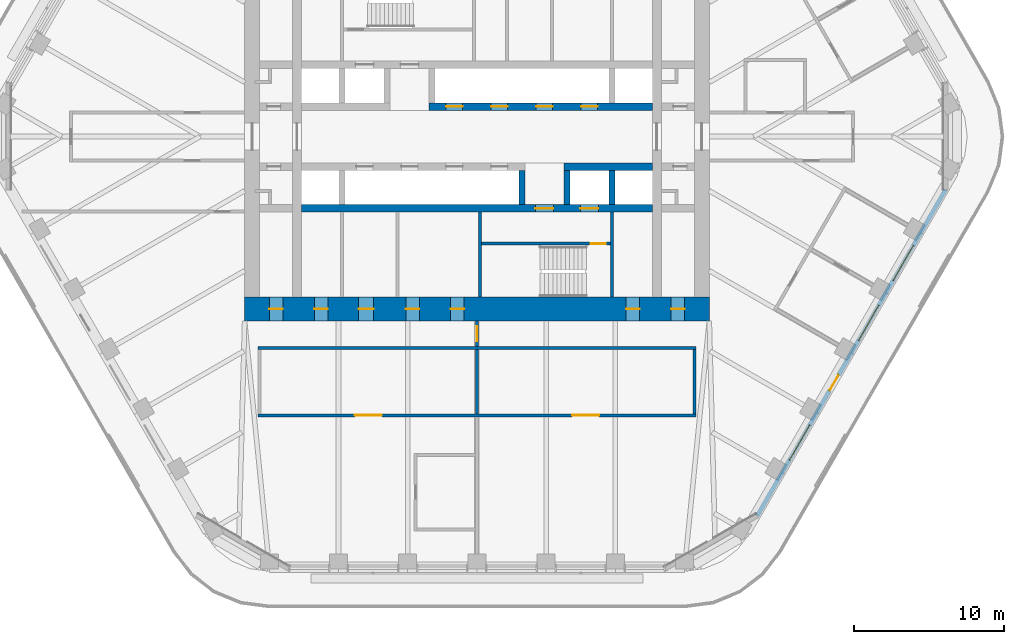
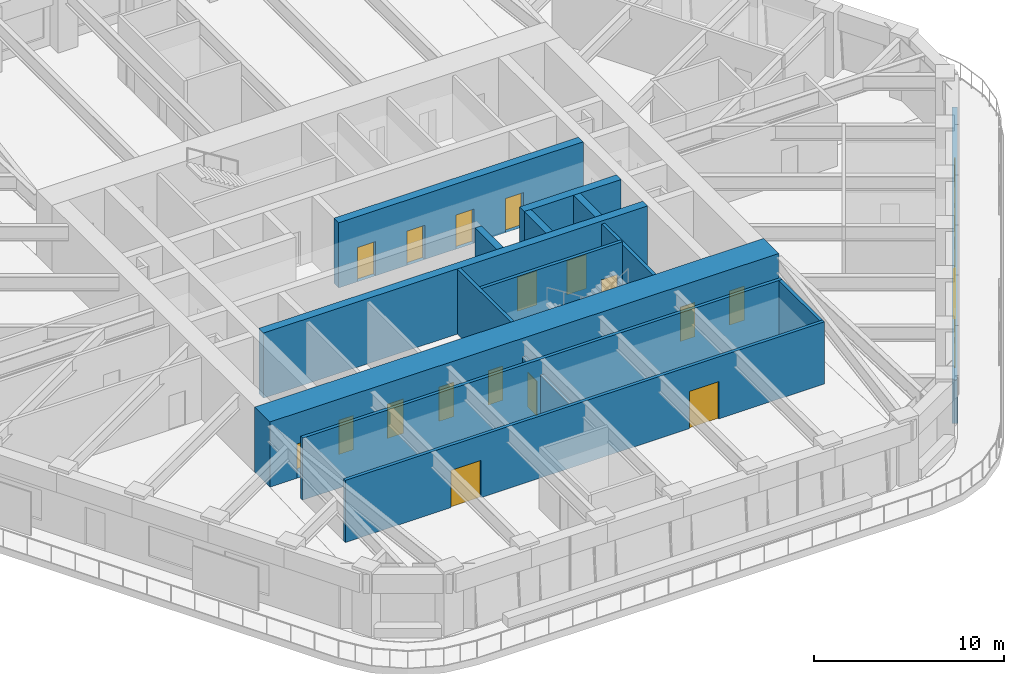
# One storey, part 15 of 20: 18 doors, 16 walls, 3 windows, 21 openings.
"""IFC4 building model written with IfcOpenShell, lengths in metres."""

from ifc_helpers import new_model, si_unit, direction, frame, frame_2d, origin, place, context, subcontext, project, spatial, rectangle, extrude, material, layer, layer_set, type_object, element, fill, save


model = new_model("IFC4")

# Units and contexts
model_context = context("Model", 3, precision=1e-05, world=origin(), true_north=direction((0.0, 1.0)))
body_context = subcontext(model_context, "Body", "Model", "MODEL_VIEW")
ifc_project = project(units=[si_unit("LENGTHUNIT", "METRE"), si_unit("AREAUNIT", "SQUARE_METRE"), si_unit("VOLUMEUNIT", "CUBIC_METRE"), si_unit("PLANEANGLEUNIT", "RADIAN"), si_unit("MASSUNIT", "GRAM", prefix="KILO")], contexts=[model_context])

# Site, building, storey
site_placement = place(None, origin())
site = spatial("IfcSite", under=ifc_project, at=site_placement, CompositionType="ELEMENT")
building_placement = place(site_placement, origin())
building = spatial("IfcBuilding", under=site, at=building_placement, Name="Tarfa Lantern Tower", CompositionType="ELEMENT")
storey_placement = place(building_placement, frame((0.0, 0.0, 261.699951171875)))
storey = spatial("IfcBuildingStorey", under=building, at=storey_placement, Name="L59", CompositionType="ELEMENT", Elevation=261.699951171875)

# Wall, openings, door, windows
ifc_material_1 = material(Name="Limestone cladding on blockwork", Category="masonry")
ifc_layer_1 = layer(ifc_material_1, 0.300048828125)
ifc_layer_set_1 = layer_set([ifc_layer_1], Name="EW1 STONE-CLAD WALL 300")
wall_type_1 = type_object("IfcWallType", Name="EW1 STONE-CLAD WALL 300", PredefinedType="SOLIDWALL", material=ifc_layer_set_1)
wall_1_placement = place(storey_placement, frame((18.70654296875, -25.299072265625, 0.0), z_axis=(0.0, 0.0, 1.0), x_axis=(0.500000442367, 0.866025148383, 0.0)))
wall_1 = element("IfcWall", 1, at=wall_1_placement, inside=storey, type_object=wall_type_1, Name="Stone wall SE", PredefinedType="SOLIDWALL", context=body_context, shape_type="SweptSolid", body=[
    extrude(rectangle(XDim=25.11279296875, YDim=0.300048828125, at=frame_2d((12.556396484375, 0.0))), origin(), (0.0, 0.0, 1.0), 2.800048828125),
])
opening_1_placement = place(wall_1_placement, frame((4.2783203125, 0.0, 0.60009765625)))
opening_1 = element("IfcOpeningElement", 2, at=opening_1_placement, cuts=wall_1, Name="Opening W14", PredefinedType="OPENING", context=body_context, shape_type="SweptSolid", body=[
    extrude(rectangle(XDim=2.699951171875, YDim=1.949951171875, at=frame_2d((1.35009765625, 0.97509765625))), frame((0.0, 0.159912109375, 0.0), z_axis=(0.0, -1.0, 0.0), x_axis=(1.0, 0.0, 0.0)), (0.0, 0.0, 1.0), 0.320068359375),
])
opening_2_placement = place(wall_1_placement, frame((9.64697265625, 0.0, 0.0)))
opening_2 = element("IfcOpeningElement", 3, at=opening_2_placement, cuts=wall_1, Name="Opening D47", PredefinedType="OPENING", context=body_context, shape_type="SweptSolid", body=[
    extrude(rectangle(XDim=1.199951171875, YDim=2.39990234375, at=frame_2d((0.60009765625, 1.199951171875))), frame((0.0, 0.159912109375, 0.0), z_axis=(0.0, -1.0, 0.0), x_axis=(1.0, 0.0, 0.0)), (0.0, 0.0, 1.0), 0.320068359375),
])
opening_3_placement = place(wall_1_placement, frame((13.515869140625, 0.0, 0.60009765625)))
opening_3 = element("IfcOpeningElement", 4, at=opening_3_placement, cuts=wall_1, Name="Opening W14", PredefinedType="OPENING", context=body_context, shape_type="SweptSolid", body=[
    extrude(rectangle(XDim=2.699951171875, YDim=1.949951171875, at=frame_2d((1.35009765625, 0.97509765625))), frame((0.0, 0.159912109375, 0.0), z_axis=(0.0, -1.0, 0.0), x_axis=(1.0, 0.0, 0.0)), (0.0, 0.0, 1.0), 0.320068359375),
])
opening_4_placement = place(wall_1_placement, frame((18.134521484375, 0.0, 0.60009765625)))
opening_4 = element("IfcOpeningElement", 5, at=opening_4_placement, cuts=wall_1, Name="Opening W14", PredefinedType="OPENING", context=body_context, shape_type="SweptSolid", body=[
    extrude(rectangle(XDim=2.699951171875, YDim=1.949951171875, at=frame_2d((1.35009765625, 0.97509765625))), frame((0.0, 0.159912109375, 0.0), z_axis=(0.0, -1.0, 0.0), x_axis=(1.0, 0.0, 0.0)), (0.0, 0.0, 1.0), 0.320068359375),
])
ifc_material_2 = material(Name="Aluminium framed glazed door", Category="aluminium")
door_type_1 = type_object("IfcDoorType", Name="BE3 BALCONY DOOR 1200x2400", OperationType="SINGLE_SWING_RIGHT", PredefinedType="DOOR", material=ifc_material_2)
door_1_placement = place(opening_2_placement, origin())
door_1 = element("IfcDoor", 6, at=door_1_placement, inside=storey, type_object=door_type_1, Name="Balcony door SE", OperationType="SINGLE_SWING_LEFT", OverallHeight=2.39990234375, OverallWidth=1.199951171875, PredefinedType="DOOR", context=body_context, shape_type="SweptSolid", body=[
    extrude(rectangle(XDim=1.199951171875, YDim=2.39990234375, at=frame_2d((0.60009765625, 1.199951171875))), frame((0.0, 0.02490234375, 0.0), z_axis=(0.0, -1.0, 0.0), x_axis=(1.0, 0.0, 0.0)), (0.0, 0.0, 1.0), 0.050048828125),
])
fill(opening_2, door_1)
ifc_material_3 = material(Name="Aluminium frame, double glazed", Category="aluminium")
window_type = type_object("IfcWindowType", Name="W14 FULL-HEIGHT GLAZING 2700x1950", PartitioningType="SINGLE_PANEL", PredefinedType="WINDOW", material=ifc_material_3)
window_1_placement = place(opening_1_placement, origin())
window_1 = element("IfcWindow", 7, at=window_1_placement, inside=storey, type_object=window_type, Name="Window SE 2", OverallHeight=1.949951171875, OverallWidth=2.699951171875, PartitioningType="SINGLE_PANEL", PredefinedType="WINDOW", context=body_context, shape_type="SweptSolid", body=[
    extrude(rectangle(XDim=2.699951171875, YDim=1.949951171875, at=frame_2d((1.35009765625, 0.97509765625))), frame((0.0, 0.030029296875, 0.0), z_axis=(0.0, -1.0, 0.0), x_axis=(1.0, 0.0, 0.0)), (0.0, 0.0, 1.0), 0.06005859375),
])
fill(opening_1, window_1)
window_2_placement = place(opening_3_placement, origin())
window_2 = element("IfcWindow", 8, at=window_2_placement, inside=storey, type_object=window_type, Name="Window SE 4", OverallHeight=1.949951171875, OverallWidth=2.699951171875, PartitioningType="SINGLE_PANEL", PredefinedType="WINDOW", context=body_context, shape_type="SweptSolid", body=[
    extrude(rectangle(XDim=2.699951171875, YDim=1.949951171875, at=frame_2d((1.35009765625, 0.97509765625))), frame((0.0, 0.030029296875, 0.0), z_axis=(0.0, -1.0, 0.0), x_axis=(1.0, 0.0, 0.0)), (0.0, 0.0, 1.0), 0.06005859375),
])
fill(opening_3, window_2)
window_3_placement = place(opening_4_placement, origin())
window_3 = element("IfcWindow", 9, at=window_3_placement, inside=storey, type_object=window_type, Name="Window SE 5", OverallHeight=1.949951171875, OverallWidth=2.699951171875, PartitioningType="SINGLE_PANEL", PredefinedType="WINDOW", context=body_context, shape_type="SweptSolid", body=[
    extrude(rectangle(XDim=2.699951171875, YDim=1.949951171875, at=frame_2d((1.35009765625, 0.97509765625))), frame((0.0, 0.030029296875, 0.0), z_axis=(0.0, -1.0, 0.0), x_axis=(1.0, 0.0, 0.0)), (0.0, 0.0, 1.0), 0.06005859375),
])
fill(opening_4, window_3)

# Walls
ifc_material_4 = material(Name="Concrete blockwork", Category="masonry")
ifc_layer_2 = layer(ifc_material_4, 0.199951171875)
ifc_layer_set_2 = layer_set([ifc_layer_2], Name="IW1 BLOCKWORK PARTITION 200 EI 120")
wall_type_2 = type_object("IfcWallType", Name="IW1 BLOCKWORK PARTITION 200 EI 120", PredefinedType="PARTITIONING", material=ifc_layer_set_2)
wall_2_placement = place(storey_placement, frame((9.0, -5.050048828125, 0.0), z_axis=(0.0, 0.0, 1.0), x_axis=(0.0, -1.0, 0.0)))
element("IfcWall", 10, at=wall_2_placement, inside=storey, type_object=wall_type_2, Name="Core partition", PredefinedType="PARTITIONING", context=body_context, shape_type="SweptSolid", body=[
    extrude(rectangle(XDim=5.64990234375, YDim=0.199951171875, at=frame_2d((2.824951171875, 0.0))), origin(), (0.0, 0.0, 1.0), 4.0),
])
ifc_material_5 = material(Name="Gypsum board on steel studs", Category="steel")
ifc_layer_3 = layer(ifc_material_5, 0.2099609375)
ifc_layer_set_3 = layer_set([ifc_layer_3], Name="IW2 ACOUSTIC PARTITION 200")
wall_type_3 = type_object("IfcWallType", Name="IW2 ACOUSTIC PARTITION 200", PredefinedType="PARTITIONING", material=ifc_layer_set_3)
wall_3_placement = place(storey_placement, frame((14.60009765625, -14.10009765625, 0.0), z_axis=(0.0, 0.0, 1.0), x_axis=(-1.0, 0.0, 0.0)))
element("IfcWall", 11, at=wall_3_placement, inside=storey, type_object=wall_type_3, Name="Partition", PredefinedType="PARTITIONING", context=body_context, shape_type="SweptSolid", body=[
    extrude(rectangle(XDim=29.2001953125, YDim=0.199951171875, at=frame_2d((14.60009765625, 0.0))), origin(), (0.0, 0.0, 1.0), 4.0),
])

# Wall, openings, doors
wall_4_placement = place(storey_placement, frame((14.60009765625, -18.60009765625, 0.0), z_axis=(0.0, 0.0, 1.0), x_axis=(-1.0, 0.0, 0.0)))
wall_4 = element("IfcWall", 12, at=wall_4_placement, inside=storey, type_object=wall_type_3, Name="Partition", PredefinedType="PARTITIONING", context=body_context, shape_type="SweptSolid", body=[
    extrude(rectangle(XDim=29.2001953125, YDim=0.199951171875, at=frame_2d((14.60009765625, 0.0))), origin(), (0.0, 0.0, 1.0), 4.0),
])
opening_5_placement = place(wall_4_placement, frame((6.449951171875, 0.0, 0.0)))
opening_5 = element("IfcOpeningElement", 13, at=opening_5_placement, cuts=wall_4, Name="Opening D32", PredefinedType="OPENING", context=body_context, shape_type="SweptSolid", body=[
    extrude(rectangle(XDim=1.800048828125, YDim=2.39990234375, at=frame_2d((0.89990234375, 1.199951171875))), frame((0.0, 0.10986328125, 0.0), z_axis=(0.0, -1.0, 0.0), x_axis=(1.0, 0.0, 0.0)), (0.0, 0.0, 1.0), 0.219970703125),
])
opening_6_placement = place(wall_4_placement, frame((20.949951171875, 0.0, 0.0)))
opening_6 = element("IfcOpeningElement", 14, at=opening_6_placement, cuts=wall_4, Name="Opening D33", PredefinedType="OPENING", context=body_context, shape_type="SweptSolid", body=[
    extrude(rectangle(XDim=1.800048828125, YDim=2.39990234375, at=frame_2d((0.89990234375, 1.199951171875))), frame((0.0, 0.10986328125, 0.0), z_axis=(0.0, -1.0, 0.0), x_axis=(1.0, 0.0, 0.0)), (0.0, 0.0, 1.0), 0.219970703125),
])
ifc_material_6 = material(Name="Timber door", Category="wood")
door_type_2 = type_object("IfcDoorType", Name="DR2 ROOM DOOR 1800x2400", OperationType="DOUBLE_DOOR_SINGLE_SWING", PredefinedType="DOOR", material=ifc_material_6)
door_2_placement = place(opening_5_placement, frame((1.800048828125, 0.0, 0.0), z_axis=(0.0, 0.0, 1.0), x_axis=(-1.0, 0.0, 0.0)))
door_2 = element("IfcDoor", 15, at=door_2_placement, inside=storey, type_object=door_type_2, Name="Bid room door", OperationType="DOUBLE_DOOR_SINGLE_SWING", OverallHeight=2.39990234375, OverallWidth=1.800048828125, PredefinedType="DOOR", context=body_context, shape_type="SweptSolid", body=[
    extrude(rectangle(XDim=1.800048828125, YDim=2.39990234375, at=frame_2d((0.89990234375, 1.199951171875))), frame((0.0, 0.02490234375, 0.0), z_axis=(0.0, -1.0, 0.0), x_axis=(1.0, 0.0, 0.0)), (0.0, 0.0, 1.0), 0.050048828125),
])
fill(opening_5, door_2)
door_3_placement = place(opening_6_placement, frame((1.800048828125, 0.0, 0.0), z_axis=(0.0, 0.0, 1.0), x_axis=(-1.0, 0.0, 0.0)))
door_3 = element("IfcDoor", 16, at=door_3_placement, inside=storey, type_object=door_type_2, Name="Bid room door", OperationType="DOUBLE_DOOR_SINGLE_SWING", OverallHeight=2.39990234375, OverallWidth=1.800048828125, PredefinedType="DOOR", context=body_context, shape_type="SweptSolid", body=[
    extrude(rectangle(XDim=1.800048828125, YDim=2.39990234375, at=frame_2d((0.89990234375, 1.199951171875))), frame((0.0, 0.02490234375, 0.0), z_axis=(0.0, -1.0, 0.0), x_axis=(1.0, 0.0, 0.0)), (0.0, 0.0, 1.0), 0.050048828125),
])
fill(opening_6, door_3)

# Walls
wall_5_placement = place(storey_placement, frame((14.5, -14.199951171875, 0.0), z_axis=(0.0, 0.0, 1.0), x_axis=(0.0, -1.0, 0.0)))
element("IfcWall", 17, at=wall_5_placement, inside=storey, type_object=wall_type_3, Name="Partition", PredefinedType="PARTITIONING", context=body_context, shape_type="SweptSolid", body=[
    extrude(rectangle(XDim=4.300048828125, YDim=0.199951171875, at=frame_2d((2.14990234375, 0.0))), origin(), (0.0, 0.0, 1.0), 4.0),
])
wall_6_placement = place(storey_placement, frame((0.0, -14.199951171875, 0.0), z_axis=(0.0, 0.0, 1.0), x_axis=(0.0, -1.0, 0.0)))
element("IfcWall", 18, at=wall_6_placement, inside=storey, type_object=wall_type_3, Name="Partition", PredefinedType="PARTITIONING", context=body_context, shape_type="SweptSolid", body=[
    extrude(rectangle(XDim=4.300048828125, YDim=0.199951171875, at=frame_2d((2.14990234375, 0.0))), origin(), (0.0, 0.0, 1.0), 2.991943359375),
])

# Wall, opening, door
wall_7_placement = place(storey_placement, frame((0.0, -12.300048828125, 0.0), z_axis=(0.0, 0.0, 1.0), x_axis=(0.0, -1.0, 0.0)))
wall_7 = element("IfcWall", 19, at=wall_7_placement, inside=storey, type_object=wall_type_3, Name="Partition", PredefinedType="PARTITIONING", context=body_context, shape_type="SweptSolid", body=[
    extrude(rectangle(XDim=1.699951171875, YDim=0.199951171875, at=frame_2d((0.85009765625, 0.0))), origin(), (0.0, 0.0, 1.0), 2.991943359375),
])
opening_7_placement = place(wall_7_placement, frame((0.35009765625, 0.0, 0.0)))
opening_7 = element("IfcOpeningElement", 20, at=opening_7_placement, cuts=wall_7, Name="Opening D44", PredefinedType="OPENING", context=body_context, shape_type="SweptSolid", body=[
    extrude(rectangle(XDim=1.0, YDim=2.199951171875, at=frame_2d((0.5, 1.10009765625))), frame((0.0, 0.10986328125, 0.0), z_axis=(0.0, -1.0, 0.0), x_axis=(1.0, 0.0, 0.0)), (0.0, 0.0, 1.0), 0.219970703125),
])
door_type_3 = type_object("IfcDoorType", Name="DR1 ROOM DOOR 1000x2200", OperationType="SINGLE_SWING_LEFT", PredefinedType="DOOR", material=ifc_material_6)
door_4_placement = place(opening_7_placement, frame((1.0, 0.0, 0.0), z_axis=(0.0, 0.0, 1.0), x_axis=(-1.0, 0.0, 0.0)))
door_4 = element("IfcDoor", 21, at=door_4_placement, inside=storey, type_object=door_type_3, Name="Zone door", OperationType="SINGLE_SWING_RIGHT", OverallHeight=2.199951171875, OverallWidth=1.0, PredefinedType="DOOR", context=body_context, shape_type="SweptSolid", body=[
    extrude(rectangle(XDim=1.0, YDim=2.199951171875, at=frame_2d((0.5, 1.10009765625))), frame((0.0, 0.02490234375, 0.0), z_axis=(0.0, -1.0, 0.0), x_axis=(1.0, 0.0, 0.0)), (0.0, 0.0, 1.0), 0.050048828125),
])
fill(opening_7, door_4)

# Wall
ifc_material_7 = material(Name="Concrete C80/95", Category="concrete")
ifc_layer_4 = layer(ifc_material_7, 0.199951171875)
ifc_layer_set_4 = layer_set([ifc_layer_4], Name="SW12 CORE WALL 200")
wall_type_4 = type_object("IfcWallType", Name="SW12 CORE WALL 200", PredefinedType="SHEAR", material=ifc_layer_set_4)
wall_8_placement = place(storey_placement, frame((0.199951171875, -5.050048828125, 0.0), z_axis=(0.0, 0.0, 1.0), x_axis=(0.0, -1.0, 0.0)))
element("IfcWall", 22, at=wall_8_placement, inside=storey, type_object=wall_type_4, Name="Core wall stair shaft S", PredefinedType="SHEAR", context=body_context, shape_type="SweptSolid", body=[
    extrude(rectangle(XDim=5.64990234375, YDim=0.199951171875, at=frame_2d((2.824951171875, 0.0))), origin(), (0.0, 0.0, 1.0), 4.199951171875),
])

# Wall, opening, door
wall_9_placement = place(storey_placement, frame((8.89990234375, -7.14990234375, 0.0), z_axis=(0.0, 0.0, 1.0), x_axis=(-1.0, 0.0, 0.0)))
wall_9 = element("IfcWall", 23, at=wall_9_placement, inside=storey, type_object=wall_type_4, Name="Core wall stair partition S", PredefinedType="SHEAR", context=body_context, shape_type="SweptSolid", body=[
    extrude(rectangle(XDim=8.599853515625, YDim=0.199951171875, at=frame_2d((4.2998046875, 0.0))), origin(), (0.0, 0.0, 1.0), 4.199951171875),
])
opening_8_placement = place(wall_9_placement, frame((0.300048828125, 0.0, 0.0)))
opening_8 = element("IfcOpeningElement", 24, at=opening_8_placement, cuts=wall_9, Name="Opening D24", PredefinedType="OPENING", context=body_context, shape_type="SweptSolid", body=[
    extrude(rectangle(XDim=1.0, YDim=2.199951171875, at=frame_2d((0.5, 1.10009765625))), frame((0.0, 0.10986328125, 0.0), z_axis=(0.0, -1.0, 0.0), x_axis=(1.0, 0.0, 0.0)), (0.0, 0.0, 1.0), 0.219970703125),
])
ifc_material_8 = material(Name="Steel fire door", Category="steel")
door_type_4 = type_object("IfcDoorType", Name="DF2 STAIR DOOR 1000x2200", OperationType="SINGLE_SWING_LEFT", PredefinedType="DOOR", material=ifc_material_8)
door_5_placement = place(opening_8_placement, origin())
door_5 = element("IfcDoor", 25, at=door_5_placement, inside=storey, type_object=door_type_4, Name="Stair door", OperationType="SINGLE_SWING_RIGHT", OverallHeight=2.199951171875, OverallWidth=1.0, PredefinedType="DOOR", context=body_context, shape_type="SweptSolid", body=[
    extrude(rectangle(XDim=1.0, YDim=2.199951171875, at=frame_2d((0.5, 1.10009765625))), frame((0.0, 0.02490234375, 0.0), z_axis=(0.0, -1.0, 0.0), x_axis=(1.0, 0.0, 0.0)), (0.0, 0.0, 1.0), 0.050048828125),
])
fill(opening_8, door_5)

# Wall, openings, doors
ifc_layer_5 = layer(ifc_material_7, 0.5)
ifc_layer_set_5 = layer_set([ifc_layer_5], Name="SW5 CORE WALL 500")
wall_type_5 = type_object("IfcWallType", Name="SW5 CORE WALL 500", PredefinedType="SHEAR", material=ifc_layer_set_5)
wall_10_placement = place(storey_placement, frame((-3.199951171875, 2.0, 0.0), z_axis=(0.0, 0.0, 1.0), x_axis=(1.0, 0.0, 0.0)))
wall_10 = element("IfcWall", 26, at=wall_10_placement, inside=storey, type_object=wall_type_5, Name="Core wall lobby east N", PredefinedType="SHEAR", context=body_context, shape_type="SweptSolid", body=[
    extrude(rectangle(XDim=14.89990234375, YDim=0.5, at=frame_2d((7.449951171875, 0.0))), origin(), (0.0, 0.0, 1.0), 4.199951171875),
])
opening_9_placement = place(wall_10_placement, frame((1.14990234375, 0.0, 0.0)))
opening_9 = element("IfcOpeningElement", 27, at=opening_9_placement, cuts=wall_10, Name="Opening LD03", PredefinedType="OPENING", context=body_context, shape_type="SweptSolid", body=[
    extrude(rectangle(XDim=1.10009765625, YDim=2.199951171875, at=frame_2d((0.550048828125, 1.10009765625))), frame((0.0, 0.260009765625, 0.0), z_axis=(0.0, -1.0, 0.0), x_axis=(1.0, 0.0, 0.0)), (0.0, 0.0, 1.0), 0.52001953125),
])
opening_10_placement = place(wall_10_placement, frame((4.14990234375, 0.0, 0.0)))
opening_10 = element("IfcOpeningElement", 28, at=opening_10_placement, cuts=wall_10, Name="Opening LD04", PredefinedType="OPENING", context=body_context, shape_type="SweptSolid", body=[
    extrude(rectangle(XDim=1.10009765625, YDim=2.199951171875, at=frame_2d((0.550048828125, 1.10009765625))), frame((0.0, 0.260009765625, 0.0), z_axis=(0.0, -1.0, 0.0), x_axis=(1.0, 0.0, 0.0)), (0.0, 0.0, 1.0), 0.52001953125),
])
opening_11_placement = place(wall_10_placement, frame((7.14990234375, 0.0, 0.0)))
opening_11 = element("IfcOpeningElement", 29, at=opening_11_placement, cuts=wall_10, Name="Opening LD05", PredefinedType="OPENING", context=body_context, shape_type="SweptSolid", body=[
    extrude(rectangle(XDim=1.10009765625, YDim=2.199951171875, at=frame_2d((0.550048828125, 1.10009765625))), frame((0.0, 0.260009765625, 0.0), z_axis=(0.0, -1.0, 0.0), x_axis=(1.0, 0.0, 0.0)), (0.0, 0.0, 1.0), 0.52001953125),
])
opening_12_placement = place(wall_10_placement, frame((10.14990234375, 0.0, 0.0)))
opening_12 = element("IfcOpeningElement", 30, at=opening_12_placement, cuts=wall_10, Name="Opening LD06", PredefinedType="OPENING", context=body_context, shape_type="SweptSolid", body=[
    extrude(rectangle(XDim=1.10009765625, YDim=2.199951171875, at=frame_2d((0.550048828125, 1.10009765625))), frame((0.0, 0.260009765625, 0.0), z_axis=(0.0, -1.0, 0.0), x_axis=(1.0, 0.0, 0.0)), (0.0, 0.0, 1.0), 0.52001953125),
])
ifc_material_9 = material(Name="Stainless steel lift door", Category="steel")
door_type_5 = type_object("IfcDoorType", Name="LD2 LIFT LANDING DOOR 1100x2200", OperationType="SLIDING_TO_LEFT", PredefinedType="DOOR", material=ifc_material_9)
door_6_placement = place(opening_9_placement, frame((1.10009765625, 0.0, 0.0), z_axis=(0.0, 0.0, 1.0), x_axis=(-1.0, 0.0, 0.0)))
door_6 = element("IfcDoor", 31, at=door_6_placement, inside=storey, type_object=door_type_5, Name="Landing door PC1", OperationType="SLIDING_TO_LEFT", OverallHeight=2.199951171875, OverallWidth=1.10009765625, PredefinedType="DOOR", context=body_context, shape_type="SweptSolid", body=[
    extrude(rectangle(XDim=1.10009765625, YDim=2.199951171875, at=frame_2d((0.550048828125, 1.10009765625))), frame((0.0, 0.02490234375, 0.0), z_axis=(0.0, -1.0, 0.0), x_axis=(1.0, 0.0, 0.0)), (0.0, 0.0, 1.0), 0.050048828125),
])
fill(opening_9, door_6)
door_7_placement = place(opening_10_placement, frame((1.10009765625, 0.0, 0.0), z_axis=(0.0, 0.0, 1.0), x_axis=(-1.0, 0.0, 0.0)))
door_7 = element("IfcDoor", 32, at=door_7_placement, inside=storey, type_object=door_type_5, Name="Landing door PC2", OperationType="SLIDING_TO_LEFT", OverallHeight=2.199951171875, OverallWidth=1.10009765625, PredefinedType="DOOR", context=body_context, shape_type="SweptSolid", body=[
    extrude(rectangle(XDim=1.10009765625, YDim=2.199951171875, at=frame_2d((0.550048828125, 1.10009765625))), frame((0.0, 0.02490234375, 0.0), z_axis=(0.0, -1.0, 0.0), x_axis=(1.0, 0.0, 0.0)), (0.0, 0.0, 1.0), 0.050048828125),
])
fill(opening_10, door_7)
door_8_placement = place(opening_11_placement, frame((1.10009765625, 0.0, 0.0), z_axis=(0.0, 0.0, 1.0), x_axis=(-1.0, 0.0, 0.0)))
door_8 = element("IfcDoor", 33, at=door_8_placement, inside=storey, type_object=door_type_5, Name="Landing door PC3", OperationType="SLIDING_TO_LEFT", OverallHeight=2.199951171875, OverallWidth=1.10009765625, PredefinedType="DOOR", context=body_context, shape_type="SweptSolid", body=[
    extrude(rectangle(XDim=1.10009765625, YDim=2.199951171875, at=frame_2d((0.550048828125, 1.10009765625))), frame((0.0, 0.02490234375, 0.0), z_axis=(0.0, -1.0, 0.0), x_axis=(1.0, 0.0, 0.0)), (0.0, 0.0, 1.0), 0.050048828125),
])
fill(opening_11, door_8)
door_9_placement = place(opening_12_placement, frame((1.10009765625, 0.0, 0.0), z_axis=(0.0, 0.0, 1.0), x_axis=(-1.0, 0.0, 0.0)))
door_9 = element("IfcDoor", 34, at=door_9_placement, inside=storey, type_object=door_type_5, Name="Landing door PC4", OperationType="SLIDING_TO_LEFT", OverallHeight=2.199951171875, OverallWidth=1.10009765625, PredefinedType="DOOR", context=body_context, shape_type="SweptSolid", body=[
    extrude(rectangle(XDim=1.10009765625, YDim=2.199951171875, at=frame_2d((0.550048828125, 1.10009765625))), frame((0.0, 0.02490234375, 0.0), z_axis=(0.0, -1.0, 0.0), x_axis=(1.0, 0.0, 0.0)), (0.0, 0.0, 1.0), 0.050048828125),
])
fill(opening_12, door_9)

# Wall
wall_11_placement = place(storey_placement, frame((11.699951171875, -2.0, 0.0), z_axis=(0.0, 0.0, 1.0), x_axis=(-1.0, 0.0, 0.0)))
element("IfcWall", 35, at=wall_11_placement, inside=storey, type_object=wall_type_5, Name="Core wall lobby west S", PredefinedType="SHEAR", context=body_context, shape_type="SweptSolid", body=[
    extrude(rectangle(XDim=5.89990234375, YDim=0.5, at=frame_2d((2.949951171875, 0.0))), origin(), (0.0, 0.0, 1.0), 4.199951171875),
])

# Wall, openings, doors
wall_12_placement = place(storey_placement, frame((11.699951171875, -4.800048828125, 0.0), z_axis=(0.0, 0.0, 1.0), x_axis=(-1.0, 0.0, 0.0)))
wall_12 = element("IfcWall", 36, at=wall_12_placement, inside=storey, type_object=wall_type_5, Name="Core wall rear S", PredefinedType="SHEAR", context=body_context, shape_type="SweptSolid", body=[
    extrude(rectangle(XDim=23.39990234375, YDim=0.5, at=frame_2d((11.699951171875, 0.0))), origin(), (0.0, 0.0, 1.0), 4.199951171875),
])
opening_13_placement = place(wall_12_placement, frame((6.60009765625, 0.0, 0.0)))
opening_13 = element("IfcOpeningElement", 37, at=opening_13_placement, cuts=wall_12, Name="Opening D10", PredefinedType="OPENING", context=body_context, shape_type="SweptSolid", body=[
    extrude(rectangle(XDim=1.199951171875, YDim=2.199951171875, at=frame_2d((0.60009765625, 1.10009765625))), frame((0.0, 0.260009765625, 0.0), z_axis=(0.0, -1.0, 0.0), x_axis=(1.0, 0.0, 0.0)), (0.0, 0.0, 1.0), 0.52001953125),
])
opening_14_placement = place(wall_12_placement, frame((3.60009765625, 0.0, 0.0)))
opening_14 = element("IfcOpeningElement", 38, at=opening_14_placement, cuts=wall_12, Name="Opening LD02", PredefinedType="OPENING", context=body_context, shape_type="SweptSolid", body=[
    extrude(rectangle(XDim=1.199951171875, YDim=2.199951171875, at=frame_2d((0.60009765625, 1.10009765625))), frame((0.0, 0.260009765625, 0.0), z_axis=(0.0, -1.0, 0.0), x_axis=(1.0, 0.0, 0.0)), (0.0, 0.0, 1.0), 0.52001953125),
])
door_type_6 = type_object("IfcDoorType", Name="DF1 FIREFIGHTING LOBBY DOOR 1200x2200", OperationType="SINGLE_SWING_LEFT", PredefinedType="DOOR", material=ifc_material_8)
door_10_placement = place(opening_13_placement, origin())
door_10 = element("IfcDoor", 39, at=door_10_placement, inside=storey, type_object=door_type_6, Name="Firefighting lobby door", OperationType="SINGLE_SWING_LEFT", OverallHeight=2.199951171875, OverallWidth=1.199951171875, PredefinedType="DOOR", context=body_context, shape_type="SweptSolid", body=[
    extrude(rectangle(XDim=1.199951171875, YDim=2.199951171875, at=frame_2d((0.60009765625, 1.10009765625))), frame((0.0, 0.02490234375, 0.0), z_axis=(0.0, -1.0, 0.0), x_axis=(1.0, 0.0, 0.0)), (0.0, 0.0, 1.0), 0.050048828125),
])
fill(opening_13, door_10)
door_type_7 = type_object("IfcDoorType", Name="LD1 LIFT LANDING DOOR 1200x2200", OperationType="SLIDING_TO_LEFT", PredefinedType="DOOR", material=ifc_material_9)
door_11_placement = place(opening_14_placement, origin())
door_11 = element("IfcDoor", 40, at=door_11_placement, inside=storey, type_object=door_type_7, Name="Landing door FL2", OperationType="SLIDING_TO_LEFT", OverallHeight=2.199951171875, OverallWidth=1.199951171875, PredefinedType="DOOR", context=body_context, shape_type="SweptSolid", body=[
    extrude(rectangle(XDim=1.199951171875, YDim=2.199951171875, at=frame_2d((0.60009765625, 1.10009765625))), frame((0.0, 0.02490234375, 0.0), z_axis=(0.0, -1.0, 0.0), x_axis=(1.0, 0.0, 0.0)), (0.0, 0.0, 1.0), 0.050048828125),
])
fill(opening_14, door_11)

# Walls
ifc_layer_6 = layer(ifc_material_7, 0.39990234375)
ifc_layer_set_6 = layer_set([ifc_layer_6], Name="SW6 CORE WALL 400")
wall_type_6 = type_object("IfcWallType", Name="SW6 CORE WALL 400", PredefinedType="SHEAR", material=ifc_layer_set_6)
for number, where, z_axis, x_axis, name in (
    (41, (9.0, -2.25, 0.0), (0.0, 0.0, 1.0), (0.0, -1.0, 0.0), "Core wall divider S"),
    (42, (6.0, -2.25, 0.0), (0.0, 0.0, 1.0), (0.0, -1.0, 0.0), "Core wall divider S"),
    (43, (3.0, -2.25, 0.0), (0.0, 0.0, 1.0), (0.0, -1.0, 0.0), "Core wall divider S"),
):
    element("IfcWall", number, at=place(storey_placement, frame(where, z_axis=z_axis, x_axis=x_axis)), inside=storey, type_object=wall_type_6, Name=name, PredefinedType="SHEAR", context=body_context, shape_type="SweptSolid", body=[
        extrude(rectangle(XDim=2.300048828125, YDim=0.39990234375, at=frame_2d((1.14990234375, 0.0))), origin(), (0.0, 0.0, 1.0), 4.199951171875),
    ])

# Wall, openings, doors
ifc_layer_7 = layer(ifc_material_7, 1.60009765625)
ifc_layer_set_7 = layer_set([ifc_layer_7], Name="SW7 CORE WALL 1600")
wall_type_7 = type_object("IfcWallType", Name="SW7 CORE WALL 1600", PredefinedType="SHEAR", material=ifc_layer_set_7)
wall_13_placement = place(storey_placement, frame((15.5, -11.5, 0.0), z_axis=(0.0, 0.0, 1.0), x_axis=(-1.0, 0.0, 0.0)))
wall_13 = element("IfcWall", 44, at=wall_13_placement, inside=storey, type_object=wall_type_7, Name="Core wall S", PredefinedType="SHEAR", context=body_context, shape_type="SweptSolid", body=[
    extrude(rectangle(XDim=31.0, YDim=1.60009765625, at=frame_2d((15.5, 0.0))), origin(), (0.0, 0.0, 1.0), 4.199951171875),
])
opening_15_placement = place(wall_13_placement, frame((16.35009765625, 0.0, 0.0)))
opening_15 = element("IfcOpeningElement", 45, at=opening_15_placement, cuts=wall_13, Name="Opening D18", PredefinedType="OPENING", context=body_context, shape_type="SweptSolid", body=[
    extrude(rectangle(XDim=0.89990234375, YDim=2.199951171875, at=frame_2d((0.449951171875, 1.10009765625))), frame((0.0, 0.81005859375, 0.0), z_axis=(0.0, -1.0, 0.0), x_axis=(1.0, 0.0, 0.0)), (0.0, 0.0, 1.0), 1.6201171875),
])
opening_16_placement = place(wall_13_placement, frame((19.35009765625, 0.0, 0.0)))
opening_16 = element("IfcOpeningElement", 46, at=opening_16_placement, cuts=wall_13, Name="Opening D20", PredefinedType="OPENING", context=body_context, shape_type="SweptSolid", body=[
    extrude(rectangle(XDim=0.89990234375, YDim=2.199951171875, at=frame_2d((0.449951171875, 1.10009765625))), frame((0.0, 0.81005859375, 0.0), z_axis=(0.0, -1.0, 0.0), x_axis=(1.0, 0.0, 0.0)), (0.0, 0.0, 1.0), 1.6201171875),
])
opening_17_placement = place(wall_13_placement, frame((22.39990234375, 0.0, 0.0)))
opening_17 = element("IfcOpeningElement", 47, at=opening_17_placement, cuts=wall_13, Name="Opening D22", PredefinedType="OPENING", context=body_context, shape_type="SweptSolid", body=[
    extrude(rectangle(XDim=1.0, YDim=2.199951171875, at=frame_2d((0.5, 1.10009765625))), frame((0.0, 0.81005859375, 0.0), z_axis=(0.0, -1.0, 0.0), x_axis=(1.0, 0.0, 0.0)), (0.0, 0.0, 1.0), 1.6201171875),
])
opening_18_placement = place(wall_13_placement, frame((1.64990234375, 0.0, 0.0)))
opening_18 = element("IfcOpeningElement", 48, at=opening_18_placement, cuts=wall_13, Name="Opening D08", PredefinedType="OPENING", context=body_context, shape_type="SweptSolid", body=[
    extrude(rectangle(XDim=0.89990234375, YDim=2.199951171875, at=frame_2d((0.449951171875, 1.10009765625))), frame((0.0, 0.81005859375, 0.0), z_axis=(0.0, -1.0, 0.0), x_axis=(1.0, 0.0, 0.0)), (0.0, 0.0, 1.0), 1.6201171875),
])
opening_19_placement = place(wall_13_placement, frame((4.64990234375, 0.0, 0.0)))
opening_19 = element("IfcOpeningElement", 49, at=opening_19_placement, cuts=wall_13, Name="Opening D06", PredefinedType="OPENING", context=body_context, shape_type="SweptSolid", body=[
    extrude(rectangle(XDim=0.89990234375, YDim=2.199951171875, at=frame_2d((0.449951171875, 1.10009765625))), frame((0.0, 0.81005859375, 0.0), z_axis=(0.0, -1.0, 0.0), x_axis=(1.0, 0.0, 0.0)), (0.0, 0.0, 1.0), 1.6201171875),
])
opening_20_placement = place(wall_13_placement, frame((25.449951171875, 0.0, 0.0)))
opening_20 = element("IfcOpeningElement", 50, at=opening_20_placement, cuts=wall_13, Name="Opening D04", PredefinedType="OPENING", context=body_context, shape_type="SweptSolid", body=[
    extrude(rectangle(XDim=0.89990234375, YDim=2.199951171875, at=frame_2d((0.449951171875, 1.10009765625))), frame((0.0, 0.81005859375, 0.0), z_axis=(0.0, -1.0, 0.0), x_axis=(1.0, 0.0, 0.0)), (0.0, 0.0, 1.0), 1.6201171875),
])
opening_21_placement = place(wall_13_placement, frame((28.449951171875, 0.0, 0.0)))
opening_21 = element("IfcOpeningElement", 51, at=opening_21_placement, cuts=wall_13, Name="Opening D02", PredefinedType="OPENING", context=body_context, shape_type="SweptSolid", body=[
    extrude(rectangle(XDim=0.89990234375, YDim=2.199951171875, at=frame_2d((0.449951171875, 1.10009765625))), frame((0.0, 0.81005859375, 0.0), z_axis=(0.0, -1.0, 0.0), x_axis=(1.0, 0.0, 0.0)), (0.0, 0.0, 1.0), 1.6201171875),
])
door_type_8 = type_object("IfcDoorType", Name="DF3 CORE ROOM DOOR 900x2200", OperationType="SINGLE_SWING_LEFT", PredefinedType="DOOR", material=ifc_material_8)
door_12_placement = place(opening_15_placement, frame((0.89990234375, 0.0, 0.0), z_axis=(0.0, 0.0, 1.0), x_axis=(-1.0, 0.0, 0.0)))
door_12 = element("IfcDoor", 52, at=door_12_placement, inside=storey, type_object=door_type_8, Name="Core door", OperationType="SINGLE_SWING_LEFT", OverallHeight=2.199951171875, OverallWidth=0.89990234375, PredefinedType="DOOR", context=body_context, shape_type="SweptSolid", body=[
    extrude(rectangle(XDim=0.89990234375, YDim=2.199951171875, at=frame_2d((0.449951171875, 1.10009765625))), frame((0.0, 0.02490234375, 0.0), z_axis=(0.0, -1.0, 0.0), x_axis=(1.0, 0.0, 0.0)), (0.0, 0.0, 1.0), 0.050048828125),
])
fill(opening_15, door_12)
door_13_placement = place(opening_16_placement, frame((0.89990234375, 0.0, 0.0), z_axis=(0.0, 0.0, 1.0), x_axis=(-1.0, 0.0, 0.0)))
door_13 = element("IfcDoor", 53, at=door_13_placement, inside=storey, type_object=door_type_8, Name="Core door", OperationType="SINGLE_SWING_RIGHT", OverallHeight=2.199951171875, OverallWidth=0.89990234375, PredefinedType="DOOR", context=body_context, shape_type="SweptSolid", body=[
    extrude(rectangle(XDim=0.89990234375, YDim=2.199951171875, at=frame_2d((0.449951171875, 1.10009765625))), frame((0.0, 0.02490234375, 0.0), z_axis=(0.0, -1.0, 0.0), x_axis=(1.0, 0.0, 0.0)), (0.0, 0.0, 1.0), 0.050048828125),
])
fill(opening_16, door_13)
door_type_9 = type_object("IfcDoorType", Name="DF4 CORE ROOM DOOR 1000x2200", OperationType="SINGLE_SWING_LEFT", PredefinedType="DOOR", material=ifc_material_8)
door_14_placement = place(opening_17_placement, frame((1.0, 0.0, 0.0), z_axis=(0.0, 0.0, 1.0), x_axis=(-1.0, 0.0, 0.0)))
door_14 = element("IfcDoor", 54, at=door_14_placement, inside=storey, type_object=door_type_9, Name="Core door", OperationType="SINGLE_SWING_RIGHT", OverallHeight=2.199951171875, OverallWidth=1.0, PredefinedType="DOOR", context=body_context, shape_type="SweptSolid", body=[
    extrude(rectangle(XDim=1.0, YDim=2.199951171875, at=frame_2d((0.5, 1.10009765625))), frame((0.0, 0.02490234375, 0.0), z_axis=(0.0, -1.0, 0.0), x_axis=(1.0, 0.0, 0.0)), (0.0, 0.0, 1.0), 0.050048828125),
])
fill(opening_17, door_14)
door_type_10 = type_object("IfcDoorType", Name="DF5 RISER DOOR 900x2200", OperationType="SINGLE_SWING_LEFT", PredefinedType="DOOR", material=ifc_material_8)
door_15_placement = place(opening_18_placement, frame((0.89990234375, 0.0, 0.0), z_axis=(0.0, 0.0, 1.0), x_axis=(-1.0, 0.0, 0.0)))
door_15 = element("IfcDoor", 55, at=door_15_placement, inside=storey, type_object=door_type_10, Name="Riser door", OperationType="SINGLE_SWING_LEFT", OverallHeight=2.199951171875, OverallWidth=0.89990234375, PredefinedType="DOOR", context=body_context, shape_type="SweptSolid", body=[
    extrude(rectangle(XDim=0.89990234375, YDim=2.199951171875, at=frame_2d((0.449951171875, 1.10009765625))), frame((0.0, 0.02490234375, 0.0), z_axis=(0.0, -1.0, 0.0), x_axis=(1.0, 0.0, 0.0)), (0.0, 0.0, 1.0), 0.050048828125),
])
fill(opening_18, door_15)
door_16_placement = place(opening_19_placement, frame((0.89990234375, 0.0, 0.0), z_axis=(0.0, 0.0, 1.0), x_axis=(-1.0, 0.0, 0.0)))
door_16 = element("IfcDoor", 56, at=door_16_placement, inside=storey, type_object=door_type_10, Name="Riser door", OperationType="SINGLE_SWING_LEFT", OverallHeight=2.199951171875, OverallWidth=0.89990234375, PredefinedType="DOOR", context=body_context, shape_type="SweptSolid", body=[
    extrude(rectangle(XDim=0.89990234375, YDim=2.199951171875, at=frame_2d((0.449951171875, 1.10009765625))), frame((0.0, 0.02490234375, 0.0), z_axis=(0.0, -1.0, 0.0), x_axis=(1.0, 0.0, 0.0)), (0.0, 0.0, 1.0), 0.050048828125),
])
fill(opening_19, door_16)
door_17_placement = place(opening_20_placement, frame((0.89990234375, 0.0, 0.0), z_axis=(0.0, 0.0, 1.0), x_axis=(-1.0, 0.0, 0.0)))
door_17 = element("IfcDoor", 57, at=door_17_placement, inside=storey, type_object=door_type_10, Name="Riser door", OperationType="SINGLE_SWING_RIGHT", OverallHeight=2.199951171875, OverallWidth=0.89990234375, PredefinedType="DOOR", context=body_context, shape_type="SweptSolid", body=[
    extrude(rectangle(XDim=0.89990234375, YDim=2.199951171875, at=frame_2d((0.449951171875, 1.10009765625))), frame((0.0, 0.02490234375, 0.0), z_axis=(0.0, -1.0, 0.0), x_axis=(1.0, 0.0, 0.0)), (0.0, 0.0, 1.0), 0.050048828125),
])
fill(opening_20, door_17)
door_18_placement = place(opening_21_placement, frame((0.89990234375, 0.0, 0.0), z_axis=(0.0, 0.0, 1.0), x_axis=(-1.0, 0.0, 0.0)))
door_18 = element("IfcDoor", 58, at=door_18_placement, inside=storey, type_object=door_type_10, Name="Riser door", OperationType="SINGLE_SWING_RIGHT", OverallHeight=2.199951171875, OverallWidth=0.89990234375, PredefinedType="DOOR", context=body_context, shape_type="SweptSolid", body=[
    extrude(rectangle(XDim=0.89990234375, YDim=2.199951171875, at=frame_2d((0.449951171875, 1.10009765625))), frame((0.0, 0.02490234375, 0.0), z_axis=(0.0, -1.0, 0.0), x_axis=(1.0, 0.0, 0.0)), (0.0, 0.0, 1.0), 0.050048828125),
])
fill(opening_21, door_18)

save(model, "model.ifc")
